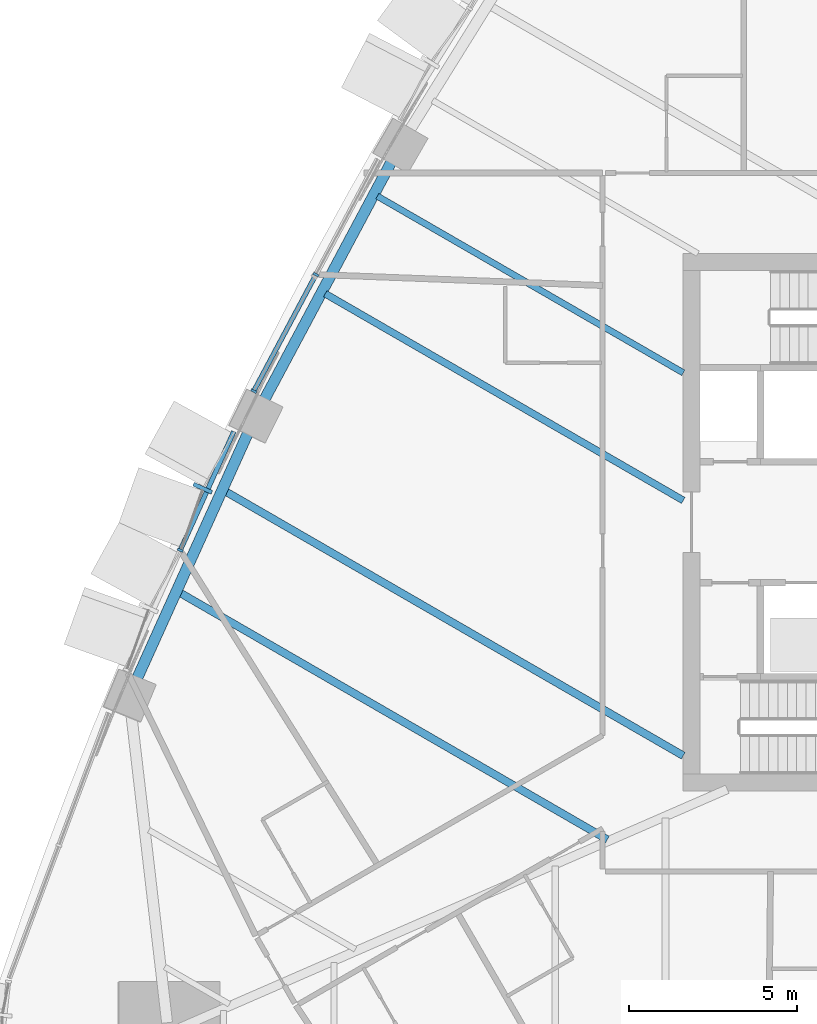
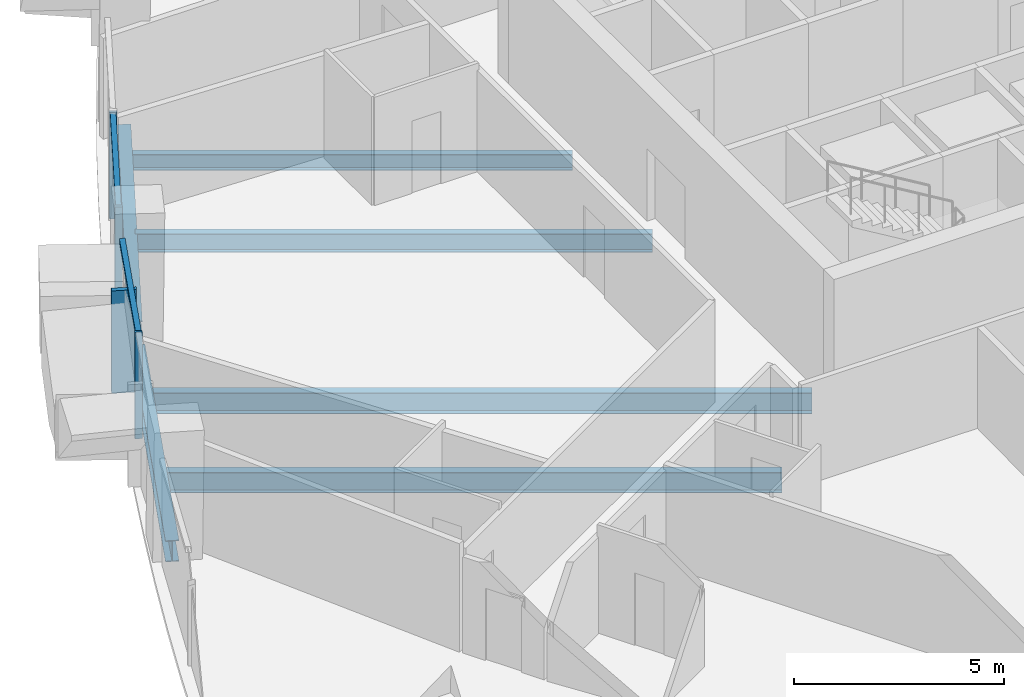
# One storey, part 3 of 19: 6 beams, 6 members, 2 elements without a shape of their own.
"""IFC4 building model written with IfcOpenShell, lengths in metres."""

from ifc_helpers import new_model, si_unit, direction, frame, origin, origin_2d, place, context, subcontext, project, spatial, rectangle, i_section, extrude, material, layer, layer_set, material_profile, profile_set, type_object, element, aggregate, save


model = new_model("IFC4")

# Units and contexts
model_context = context("Model", 3, precision=1e-05, world=origin(), true_north=direction((0.0, 1.0)))
body_context = subcontext(model_context, "Body", "Model", "MODEL_VIEW")
ifc_project = project(units=[si_unit("LENGTHUNIT", "METRE"), si_unit("AREAUNIT", "SQUARE_METRE"), si_unit("VOLUMEUNIT", "CUBIC_METRE"), si_unit("PLANEANGLEUNIT", "RADIAN"), si_unit("MASSUNIT", "GRAM", prefix="KILO")], contexts=[model_context])

# Site, building, storey
site_placement = place(None, origin())
site = spatial("IfcSite", under=ifc_project, at=site_placement, CompositionType="ELEMENT")
building_placement = place(site_placement, origin())
building = spatial("IfcBuilding", under=site, at=building_placement, Name="Sierra Prisma Convention Tower", CompositionType="ELEMENT")
storey_placement = place(building_placement, frame((0.0, 0.0, 77.60009765625)))
storey = spatial("IfcBuildingStorey", under=building, at=storey_placement, Name="L15", CompositionType="ELEMENT", Elevation=77.60009765625)

# Curtain wall, member
ifc_material_1 = material(Name="Aluminium and glass curtain wall", Category="aluminium")
ifc_layer_1 = layer(ifc_material_1, 0.179931640625)
ifc_layer_set_1 = layer_set([ifc_layer_1], Name="CW-2 Faceted crystal curtain wall")
curtain_wall_type_1 = type_object("IfcCurtainWallType", Name="CW-2 Faceted crystal curtain wall", PredefinedType="NOTDEFINED", material=ifc_layer_set_1)
curtain_wall_1_placement = place(storey_placement, origin())
curtain_wall_1 = element("IfcCurtainWall", 1, at=curtain_wall_1_placement, inside=storey, type_object=curtain_wall_type_1, Name="CW-2 NW5 L15", PredefinedType="NOTDEFINED")
ifc_material_2 = material(Name="Aluminium 6063-T6 bronze anodised", Category="aluminium")
ifc_material_profile_1 = material_profile(ifc_material_2, rectangle(XDim=0.1201171875, YDim=0.60009765625, at=origin_2d()), Name="ALU RIDGE BLADE 120x600")
ifc_profile_set_1 = profile_set([ifc_material_profile_1], Name="Aluminium 6063-T6 bronze anodised")
member_type_1 = type_object("IfcMemberType", Name="CW hip bronze", PredefinedType="MULLION", material=ifc_profile_set_1)
member_1_placement = place(storey_placement, frame((-25.31201171875, 1.0107421875, 0.0), z_axis=(0.0, 0.0, 1.0), x_axis=(-0.411425727774, -0.911443289802, 0.0)))
member_1 = element("IfcMember", 2, at=member_1_placement, type_object=member_type_1, Name="CW-2 ridge NW5.1", PredefinedType="MULLION", context=body_context, shape_type="SweptSolid", body=[
    extrude(rectangle(XDim=0.1201171875, YDim=0.60009765625, at=origin_2d()), origin(), (0.0, 0.0, 1.0), 2.97998046875),
])

# Curtain wall, members
ifc_material_3 = material(Name="Aluminium and glass curtain wall", Category="aluminium")
ifc_layer_2 = layer(ifc_material_3, 0.179931640625)
ifc_layer_set_2 = layer_set([ifc_layer_2], Name="CW-1 Plain shaft curtain wall")
curtain_wall_type_2 = type_object("IfcCurtainWallType", Name="CW-1 Plain shaft curtain wall", PredefinedType="NOTDEFINED", material=ifc_layer_set_2)
curtain_wall_2_placement = place(storey_placement, origin())
curtain_wall_2 = element("IfcCurtainWall", 3, at=curtain_wall_2_placement, inside=storey, type_object=curtain_wall_type_2, Name="CW-1 NW4 L15", PredefinedType="NOTDEFINED")
ifc_material_4 = material(Name="Aluminium 6063-T6 bronze anodised", Category="aluminium")
ifc_material_profile_2 = material_profile(ifc_material_4, rectangle(XDim=0.179931640625, YDim=0.070068359375, at=origin_2d()), Name="ALU MULLION 70x180")
ifc_profile_set_2 = profile_set([ifc_material_profile_2], Name="Aluminium 6063-T6 bronze anodised")
member_type_2 = type_object("IfcMemberType", Name="CW mullion bronze", PredefinedType="MULLION", material=ifc_profile_set_2)
member_2_placement = place(storey_placement, frame((-21.93896484375, 7.37353515625, 0.0), z_axis=(0.0, 0.0, 1.0), x_axis=(0.88218446872, -0.470903985064, 0.0)))
member_2 = element("IfcMember", 4, at=member_2_placement, type_object=member_type_2, Name="CW-1 mullion NW4.2", PredefinedType="MULLION", context=body_context, shape_type="SweptSolid", body=[
    extrude(rectangle(XDim=0.179931640625, YDim=0.070068359375, at=origin_2d()), origin(), (0.0, 0.0, 1.0), 3.099853515625),
])
member_3_placement = place(storey_placement, frame((-23.791015625, 3.904296875, 0.0), z_axis=(0.0, 0.0, 1.0), x_axis=(0.88218446872, -0.470903985064, 0.0)))
member_3 = element("IfcMember", 5, at=member_3_placement, type_object=member_type_2, Name="CW-1 mullion NW4.3", PredefinedType="MULLION", context=body_context, shape_type="SweptSolid", body=[
    extrude(rectangle(XDim=0.179931640625, YDim=0.070068359375, at=origin_2d()), origin(), (0.0, 0.0, 1.0), 3.099853515625),
])

# Member
member_4_placement = place(storey_placement, frame((-25.979248046875, -0.8349609375, 0.0), z_axis=(0.0, 0.0, 1.0), x_axis=(0.911443289802, -0.411425727774, 0.0)))
member_4 = element("IfcMember", 6, at=member_4_placement, type_object=member_type_2, Name="CW-1 mullion NW5.2", PredefinedType="MULLION", context=body_context, shape_type="SweptSolid", body=[
    extrude(rectangle(XDim=0.179931640625, YDim=0.070068359375, at=origin_2d()), origin(), (0.0, 0.0, 1.0), 3.099853515625),
])

ifc_material_5 = material(Name="Aluminium 6063-T6 bronze anodised", Category="aluminium")
ifc_material_profile_3 = material_profile(ifc_material_5, rectangle(XDim=0.139892578125, YDim=0.1201171875, at=origin_2d()), Name="ALU TRANSOM 120x140")
ifc_profile_set_3 = profile_set([ifc_material_profile_3], Name="Aluminium 6063-T6 bronze anodised")
member_type_3 = type_object("IfcMemberType", Name="CW transom bronze", PredefinedType="USERDEFINED", material=ifc_profile_set_3)
member_5_placement = place(storey_placement, frame((-21.95556640625, 7.3427734375, 3.039794921875), z_axis=(-0.47087033322, -0.882202431018, 0.0), x_axis=(0.882202431018, -0.47087033322, 0.0)))
member_5 = element("IfcMember", 7, at=member_5_placement, type_object=member_type_3, Name="CW-1 transom NW4.2", ObjectType="TRANSOM", PredefinedType="USERDEFINED", context=body_context, shape_type="SweptSolid", body=[
    extrude(rectangle(XDim=0.139892578125, YDim=0.1201171875, at=origin_2d()), origin(), (0.0, 0.0, 1.0), 3.86279296875),
])

aggregate(curtain_wall_2, [member_2, member_3, member_5])

member_6_placement = place(storey_placement, frame((-24.383544921875, 2.699951171875, 3.039794921875), z_axis=(-0.411442046057, -0.911435923549, 0.0), x_axis=(0.911435923549, -0.411442046057, 0.0)))
member_6 = element("IfcMember", 8, at=member_6_placement, type_object=member_type_3, Name="CW-1 transom NW5.1", ObjectType="TRANSOM", PredefinedType="USERDEFINED", context=body_context, shape_type="SweptSolid", body=[
    extrude(rectangle(XDim=0.139892578125, YDim=0.1201171875, at=origin_2d()), origin(), (0.0, 0.0, 1.0), 3.84326171875),
])

aggregate(curtain_wall_1, [member_4, member_6, member_1])

# Beams
ifc_material_6 = material(Name="Steel ASTM A992 Gr 50", Category="steel")
ifc_material_profile_4 = material_profile(ifc_material_6, i_section(OverallWidth=0.18994140625, OverallDepth=0.45703125, WebThickness=0.009033203125, FlangeThickness=0.014404296875, at=origin_2d()), Name="W460x74")
ifc_profile_set_4 = profile_set([ifc_material_profile_4], Name="Steel ASTM A992 Gr 50")
beam_type_1 = type_object("IfcBeamType", Name="Floor joist W460x74", PredefinedType="JOIST", material=ifc_profile_set_4)
beam_1_placement = place(storey_placement, frame((-20.110595703125, 9.710205078125, -0.378662109375), z_axis=(0.866025202757, -0.50000034819, 0.0), x_axis=(0.50000034819, 0.866025202757, 0.0)))
element("IfcBeam", 9, at=beam_1_placement, inside=storey, type_object=beam_type_1, Name="Floor joist L15 NW09", PredefinedType="JOIST", context=body_context, shape_type="SweptSolid", body=[
    extrude(i_section(OverallWidth=0.18994140625, OverallDepth=0.45703125, WebThickness=0.009033203125, FlangeThickness=0.014404296875, at=origin_2d()), origin(), (0.0, 0.0, 1.0), 10.52001953125),
])
ifc_material_7 = material(Name="Steel ASTM A992 Gr 50", Category="steel")
ifc_material_profile_5 = material_profile(ifc_material_7, i_section(OverallWidth=0.208984375, OverallDepth=0.532958984375, WebThickness=0.01025390625, FlangeThickness=0.015625, at=origin_2d()), Name="W530x92")
ifc_profile_set_5 = profile_set([ifc_material_profile_5], Name="Steel ASTM A992 Gr 50")
beam_type_2 = type_object("IfcBeamType", Name="Floor joist W530x92", PredefinedType="JOIST", material=ifc_profile_set_5)
beam_2_placement = place(storey_placement, frame((-21.662109375, 6.8046875, -0.41650390625), z_axis=(0.866017168687, -0.500014263337, 0.0), x_axis=(0.500014263337, 0.866017168687, 0.0)))
element("IfcBeam", 10, at=beam_2_placement, inside=storey, type_object=beam_type_2, Name="Floor joist L15 NW10", PredefinedType="JOIST", context=body_context, shape_type="SweptSolid", body=[
    extrude(i_section(OverallWidth=0.208984375, OverallDepth=0.532958984375, WebThickness=0.01025390625, FlangeThickness=0.015625, at=origin_2d()), origin(), (0.0, 0.0, 1.0), 12.311767578125),
])
ifc_material_8 = material(Name="Steel ASTM A992 Gr 50", Category="steel")
ifc_material_profile_6 = material_profile(ifc_material_8, i_section(OverallWidth=0.22802734375, OverallDepth=0.60302734375, WebThickness=0.010498046875, FlangeThickness=0.014892578125, at=origin_2d()), Name="W610x101")
ifc_profile_set_6 = profile_set([ifc_material_profile_6], Name="Steel ASTM A992 Gr 50")
beam_type_3 = type_object("IfcBeamType", Name="Floor joist W610x101", PredefinedType="JOIST", material=ifc_profile_set_6)
beam_3_placement = place(storey_placement, frame((-24.627197265625, 0.91357421875, -0.45166015625), z_axis=(0.866031853243, -0.499988829044, 0.0), x_axis=(0.499988829044, 0.866031853243, 0.0)))
element("IfcBeam", 11, at=beam_3_placement, inside=storey, type_object=beam_type_3, Name="Floor joist L15 NW12", PredefinedType="JOIST", context=body_context, shape_type="SweptSolid", body=[
    extrude(i_section(OverallWidth=0.22802734375, OverallDepth=0.60302734375, WebThickness=0.010498046875, FlangeThickness=0.014892578125, at=origin_2d()), origin(), (0.0, 0.0, 1.0), 15.735107421875),
])
beam_4_placement = place(storey_placement, frame((-25.98876953125, -2.1015625, -0.45166015625), z_axis=(0.86602237505, -0.500005245886, 0.0), x_axis=(0.500005245886, 0.86602237505, 0.0)))
element("IfcBeam", 12, at=beam_4_placement, inside=storey, type_object=beam_type_3, Name="Floor joist L15 NW13", PredefinedType="JOIST", context=body_context, shape_type="SweptSolid", body=[
    extrude(i_section(OverallWidth=0.22802734375, OverallDepth=0.60302734375, WebThickness=0.010498046875, FlangeThickness=0.014892578125, at=origin_2d()), origin(), (0.0, 0.0, 1.0), 14.697021484375),
])
ifc_material_9 = material(Name="Steel ASTM A992 Gr 50", Category="steel")
ifc_material_profile_7 = material_profile(ifc_material_9, i_section(OverallWidth=0.324951171875, OverallDepth=0.615966796875, WebThickness=0.013916015625, FlangeThickness=0.021484375, at=origin_2d()), Name="W610x174")
ifc_profile_set_7 = profile_set([ifc_material_profile_7], Name="Steel ASTM A992 Gr 50")
beam_type_4 = type_object("IfcBeamType", Name="Spandrel beam W610x174", PredefinedType="BEAM", material=ifc_profile_set_7)
for number, where, z_axis, x_axis, name in (
    (13, (-19.65869140625, 10.795654296875, -0.4580078125), (-0.471037420885, -0.882113228631, 0.0), (0.882113228631, -0.471037420885, 0.0), "Spandrel L15-16"),
    (14, (-23.935546875, 2.718505859375, -0.4580078125), (-0.411611512574, -0.911359403702, 0.0), (0.911359403702, -0.411611512574, 0.0), "Spandrel L15-17"),
):
    element("IfcBeam", number, at=place(storey_placement, frame(where, z_axis=z_axis, x_axis=x_axis)), inside=storey, type_object=beam_type_4, Name=name, PredefinedType="BEAM", context=body_context, shape_type="SweptSolid", body=[
        extrude(i_section(OverallWidth=0.324951171875, OverallDepth=0.615966796875, WebThickness=0.013916015625, FlangeThickness=0.021484375, at=origin_2d()), origin(), (0.0, 0.0, 1.0), 8.179931640625),
    ])

save(model, "model.ifc")
